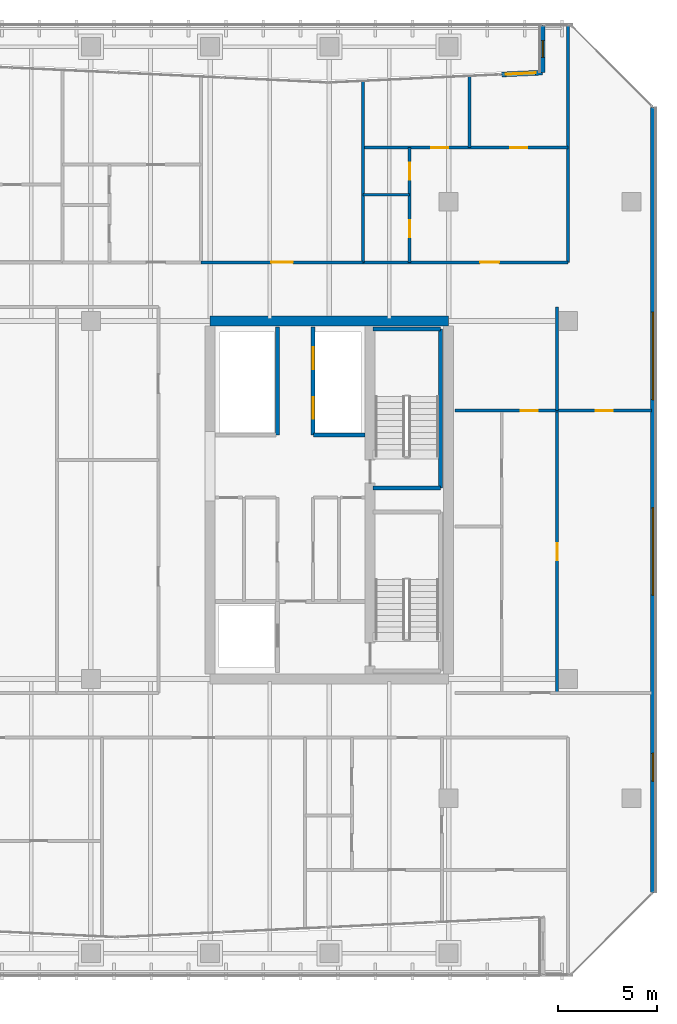
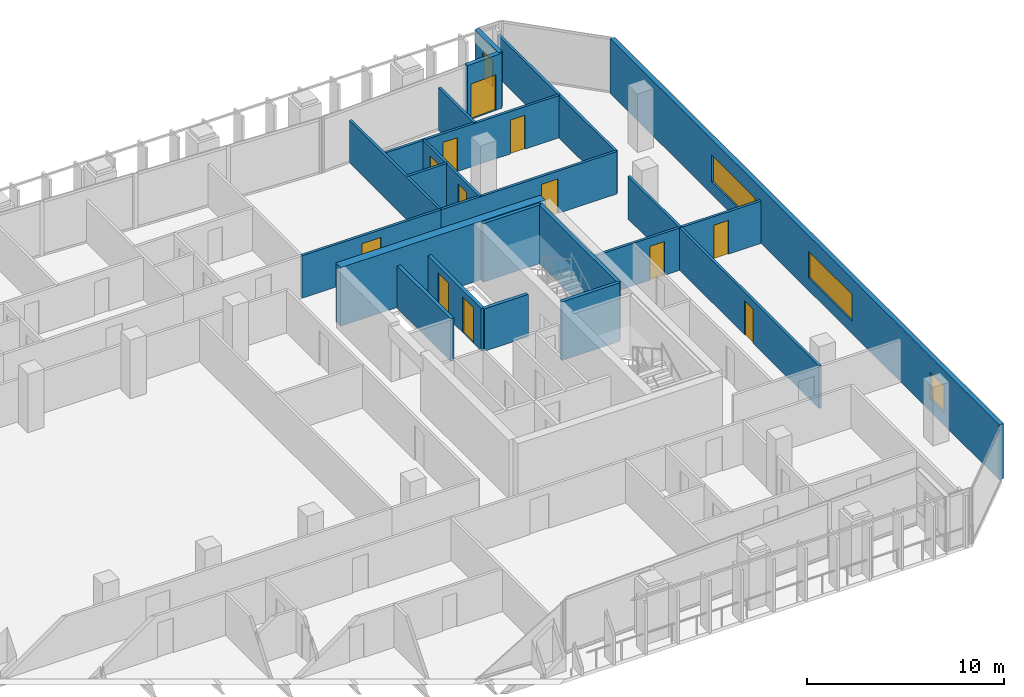
# One storey, part 32 of 39: 21 walls, 12 doors, 4 windows, 16 openings.
"""IFC4 building model written with IfcOpenShell, lengths in metres."""

import ifcopenshell
import ifcopenshell.guid

model = None  # the IFC model being written
_history = None  # IfcOwnerHistory: only IFC2X3 demands one
_inside = {}  # id of a spatial element -> (the spatial element, [elements in it])
_under = {}  # id of a project, library or spatial element -> (it, [spatial elements below it])
_declared = {}  # id of a project -> (the project, [libraries it declares])
_typed = {}  # id of a type object -> (the type object, [elements of that type])
_made_of = {}  # id of a material, layer set ... -> (it, [elements and type objects made of it])


def new_model(schema):
    """Start an empty IFC model of exactly this schema.

    Asked for "IFC4X3", IfcOpenShell would pick the latest addendum, in which some entities
    have other attributes; the version numbers below select the first issue.
    IFC2X3 requires an IfcOwnerHistory on every rooted entity: one is made here for all.
    """
    global model, _history
    if schema == "IFC4X3":
        model = ifcopenshell.file(schema_version=(4, 3, 0, 0))
    else:
        model = ifcopenshell.file(schema=schema)
    _inside.clear()
    _under.clear()
    _declared.clear()
    _typed.clear()
    _made_of.clear()
    _history = None
    if model.schema == "IFC2X3":
        org = make("IfcOrganization", Name="unknown")
        user = make(
            "IfcPersonAndOrganization",
            ThePerson=make("IfcPerson", FamilyName="unknown"),
            TheOrganization=org,
        )
        app = make(
            "IfcApplication",
            ApplicationDeveloper=org,
            Version="unknown",
            ApplicationFullName="unknown",
            ApplicationIdentifier="unknown",
        )
        _history = make(
            "IfcOwnerHistory",
            OwningUser=user,
            OwningApplication=app,
            ChangeAction="ADDED",
            CreationDate=0,
        )
    return model


def make(cls, **values):
    """One entity of the class cls with the attributes given. An attribute that is None is left unset."""
    return model.create_entity(
        cls, **{name: value for name, value in values.items() if value is not None}
    )


def rooted(cls, **values):
    """An entity with a GlobalId (a new one), such as an element, a storey or a relation."""
    return make(cls, GlobalId=ifcopenshell.guid.new(), OwnerHistory=_history, **values)


def si_unit(unit_type, name, prefix=None):
    """IfcSIUnit, for example si_unit("LENGTHUNIT", "METRE", prefix="MILLI")."""
    return make("IfcSIUnit", UnitType=unit_type, Prefix=prefix, Name=name)


def assignment(units):
    """IfcUnitAssignment: the units of a project."""
    return None if units is None else make("IfcUnitAssignment", Units=units)


def point(xyz):
    """IfcCartesianPoint."""
    return None if xyz is None else make("IfcCartesianPoint", Coordinates=xyz)


def direction(xyz):
    """IfcDirection."""
    return None if xyz is None else make("IfcDirection", DirectionRatios=xyz)


def frame(location, z_axis=None, x_axis=None):
    """IfcAxis2Placement3D, a coordinate frame: its origin and axes. An axis left out is left unset."""
    return make(
        "IfcAxis2Placement3D",
        Location=point(location),
        Axis=direction(z_axis),
        RefDirection=direction(x_axis),
    )


def frame_2d(location, x_axis=None):
    """IfcAxis2Placement2D, a coordinate frame in the plane: its origin and x axis."""
    return make(
        "IfcAxis2Placement2D", Location=point(location), RefDirection=direction(x_axis)
    )


def origin():
    """The frame at (0, 0, 0) with its axes left unset."""
    return frame((0.0, 0.0, 0.0))


def place(relative_to, where):
    """IfcLocalPlacement: puts the frame where relative to a parent placement (None: the world)."""
    return make(
        "IfcLocalPlacement", PlacementRelTo=relative_to, RelativePlacement=where
    )


def context(
    kind, dimensions, precision=None, world=None, true_north=None, identifier=None
):
    """IfcGeometricRepresentationContext, for example the 3D "Model" context."""
    return make(
        "IfcGeometricRepresentationContext",
        ContextIdentifier=identifier,
        ContextType=kind,
        CoordinateSpaceDimension=dimensions,
        Precision=precision,
        WorldCoordinateSystem=world,
        TrueNorth=true_north,
    )


def subcontext(parent, identifier, kind, view, scale=None):
    """IfcGeometricRepresentationSubContext, for example "Body" below "Model"."""
    return make(
        "IfcGeometricRepresentationSubContext",
        ContextIdentifier=identifier,
        ContextType=kind,
        ParentContext=parent,
        TargetScale=scale,
        TargetView=view,
    )


def project(units=None, contexts=None):
    """IfcProject with its units and contexts."""
    return rooted(
        "IfcProject",
        Name="project",
        RepresentationContexts=contexts,
        UnitsInContext=assignment(units),
    )


def spatial(cls, under=None, at=None, **own):
    """A site, building, storey or space (cls), placed at a placement, below another one or the project."""
    s = rooted(cls, ObjectPlacement=at, **own)
    if under is not None:
        _under.setdefault(under.id(), (under, []))[1].append(s)
    return s


def profile(cls, at=None, kind="AREA", **sizes):
    """A parametric profile (cls). Its sizes go by their IFC names, for example OverallWidth=200.0."""
    return make(cls, ProfileType=kind, Position=at, **sizes)


def rectangle(**sizes):
    """IfcRectangleProfileDef."""
    return profile("IfcRectangleProfileDef", **sizes)


def extrude(swept, where, along, depth):
    """IfcExtrudedAreaSolid: the profile swept, set in the frame where, extruded along a direction by depth."""
    return make(
        "IfcExtrudedAreaSolid",
        SweptArea=swept,
        Position=where,
        ExtrudedDirection=direction(along),
        Depth=depth,
    )


def shape(context_of_items, identifier, shape_type, items):
    """IfcShapeRepresentation: the items that make up one representation, for example the "Body"."""
    return make(
        "IfcShapeRepresentation",
        ContextOfItems=context_of_items,
        RepresentationIdentifier=identifier,
        RepresentationType=shape_type,
        Items=items,
    )


def material(Name=None, Category=None):
    """IfcMaterial."""
    return make("IfcMaterial", Name=Name, Category=Category)


def layer(
    of_material, thickness, ventilated=None, Name=None, Category=None, Priority=None
):
    """IfcMaterialLayer: one layer of a wall or slab, of a material (None: an air gap)."""
    return make(
        "IfcMaterialLayer",
        Material=of_material,
        LayerThickness=thickness,
        IsVentilated=ventilated,
        Name=Name,
        Category=Category,
        Priority=Priority,
    )


def layer_set(layers, Name=None):
    """IfcMaterialLayerSet."""
    return make("IfcMaterialLayerSet", MaterialLayers=layers, LayerSetName=Name)


def made_of(thing, what):
    """Note that an element or type object is made of a material, layer set ...; save() writes the relation."""
    if what is not None:
        _made_of.setdefault(what.id(), (what, []))[1].append(thing)
    return thing


def type_object(cls, material=None, **own):
    """A type object (cls), such as IfcWallType, which elements share."""
    return made_of(rooted(cls, **own), material)


def element(
    cls,
    number,
    at=None,
    inside=None,
    cuts=None,
    type_object=None,
    material=None,
    context=None,
    identifier="Body",
    shape_type=None,
    held_by="IfcProductDefinitionShape",
    body=None,
    shapes=None,
    **own,
):
    """One element of the class cls, such as IfcWall. Its Tag is "e" and its number.

    at: its placement. inside: the storey or other place that contains it. cuts: it is an
    opening in that element (IfcRelVoidsElement). A single representation is given by context,
    identifier, shape_type and body (its items); several are given by shapes. held_by: the class
    of the entity that holds the representations. save() writes the other relations.
    """
    e = rooted(cls, Tag="e%d" % number, ObjectPlacement=at, **own)
    if body is not None:
        shapes = [shape(context, identifier, shape_type, body)]
    if shapes is not None:
        e.Representation = make(held_by, Representations=shapes)
    if inside is not None:
        _inside.setdefault(inside.id(), (inside, []))[1].append(e)
    if cuts is not None:
        rooted(
            "IfcRelVoidsElement", RelatingBuildingElement=cuts, RelatedOpeningElement=e
        )
    if type_object is not None:
        _typed.setdefault(type_object.id(), (type_object, []))[1].append(e)
    return made_of(e, material)


def fill(opening, filler):
    """IfcRelFillsElement: the door or window that sits in an opening."""
    return rooted(
        "IfcRelFillsElement",
        RelatingOpeningElement=opening,
        RelatedBuildingElement=filler,
    )


def aggregate(whole, parts):
    """IfcRelAggregates: a whole, such as a stair, and the parts it consists of."""
    return rooted("IfcRelAggregates", RelatingObject=whole, RelatedObjects=parts)


def save(model, path):
    """Write the relations noted so far, then the file.

    IfcRelAggregates (storeys below a building ...), IfcRelContainedInSpatialStructure (elements
    in a storey), IfcRelDefinesByType, IfcRelAssociatesMaterial and IfcRelDeclares: one each for
    every whole, place, type object, material and project.
    """
    for whole, parts in _under.values():
        aggregate(whole, parts)
    for where, things in _inside.values():
        rooted(
            "IfcRelContainedInSpatialStructure",
            RelatedElements=things,
            RelatingStructure=where,
        )
    for kind, things in _typed.values():
        rooted("IfcRelDefinesByType", RelatedObjects=things, RelatingType=kind)
    for what, things in _made_of.values():
        rooted("IfcRelAssociatesMaterial", RelatedObjects=things, RelatingMaterial=what)
    for by, libraries in _declared.values():
        rooted("IfcRelDeclares", RelatingContext=by, RelatedDefinitions=libraries)
    model.write(path)


model = new_model("IFC4")

# Units and contexts
model_context = context("Model", 3, precision=1e-05, world=origin(), true_north=direction((0.0, 1.0)))
body_context = subcontext(model_context, "Body", "Model", "MODEL_VIEW")
ifc_project = project(units=[si_unit("LENGTHUNIT", "METRE"), si_unit("AREAUNIT", "SQUARE_METRE"), si_unit("VOLUMEUNIT", "CUBIC_METRE"), si_unit("PLANEANGLEUNIT", "RADIAN"), si_unit("MASSUNIT", "GRAM", prefix="KILO")], contexts=[model_context])

# Site, building, storey
site_placement = place(None, origin())
site = spatial("IfcSite", under=ifc_project, at=site_placement, CompositionType="ELEMENT")
building_placement = place(site_placement, origin())
building = spatial("IfcBuilding", under=site, at=building_placement, Name="Tanjung Sevakor Pilgrim Tower", CompositionType="ELEMENT")
storey_placement = place(building_placement, frame((0.0, 0.0, 108.570068359375)))
storey = spatial("IfcBuildingStorey", under=building, at=storey_placement, Name="L30", CompositionType="ELEMENT", Elevation=108.570068359375)

# Walls
ifc_material_1 = material(Name="Concrete C60/75", Category="concrete")
ifc_layer_1 = layer(ifc_material_1, 0.5)
ifc_layer_set_1 = layer_set([ifc_layer_1], Name="WALL-CW-500")
wall_type_1 = type_object("IfcWallType", Name="WALL-CW-500", PredefinedType="SHEAR", material=ifc_layer_set_1)
wall_1_placement = place(storey_placement, frame((90.0, 42.60009765625, 0.0), z_axis=(0.0, 0.0, 1.0), x_axis=(-1.0, 0.0, 0.0)))
element("IfcWall", 1, at=wall_1_placement, inside=storey, type_object=wall_type_1, Name="L30 E Core North Shear Wall", PredefinedType="SHEAR", context=body_context, shape_type="SweptSolid", body=[
    extrude(rectangle(XDim=12.0, YDim=0.5, at=frame_2d((6.0, 0.0))), origin(), (0.0, 0.0, 1.0), 3.6298828125),
])
ifc_material_2 = material(Name="Concrete C40/50", Category="concrete")
ifc_layer_2 = layer(ifc_material_2, 0.14990234375)
ifc_layer_set_2 = layer_set([ifc_layer_2], Name="WT-COMP-150")
wall_type_2 = type_object("IfcWallType", Name="WT-COMP-150", PredefinedType="SOLIDWALL", material=ifc_layer_set_2)
wall_2_placement = place(storey_placement, frame((96.0, 45.550048828125, 0.0), z_axis=(0.0, 0.0, 1.0), x_axis=(0.0, 1.0, 0.0)))
element("IfcWall", 2, at=wall_2_placement, inside=storey, type_object=wall_type_2, Name="L30 Partition IW-L30-101", PredefinedType="SOLIDWALL", context=body_context, shape_type="SweptSolid", body=[
    extrude(rectangle(XDim=11.925048828125, YDim=0.14990234375, at=frame_2d((5.96240234375, 0.0))), origin(), (0.0, 0.0, 1.0), 2.6298828125),
])
wall_3_placement = place(storey_placement, frame((85.689453125, 45.550048828125, 0.0), z_axis=(0.0, 0.0, 1.0), x_axis=(0.0, 1.0, 0.0)))
element("IfcWall", 3, at=wall_3_placement, inside=storey, type_object=wall_type_2, Name="L30 Partition IW-L30-115", PredefinedType="SOLIDWALL", context=body_context, shape_type="SweptSolid", body=[
    extrude(rectangle(XDim=9.12646484375, YDim=0.14990234375, at=frame_2d((4.563232421875, 0.0))), origin(), (0.0, 0.0, 1.0), 2.6298828125),
])

# Wall, opening, door
wall_4_placement = place(storey_placement, frame((77.536865234375, 45.550048828125, 0.0), z_axis=(0.0, 0.0, 1.0), x_axis=(1.0, 0.0, 0.0)))
wall_4 = element("IfcWall", 4, at=wall_4_placement, inside=storey, type_object=wall_type_2, Name="L30 Partition IW-L30-116", PredefinedType="SOLIDWALL", context=body_context, shape_type="SweptSolid", body=[
    extrude(rectangle(XDim=8.152587890625, YDim=0.14990234375, at=frame_2d((4.076171875, 0.0))), origin(), (0.0, 0.0, 1.0), 2.6298828125),
])
opening_1_placement = place(wall_4_placement, frame((3.5263671875, 0.0, 0.0)))
opening_1 = element("IfcOpeningElement", 5, at=opening_1_placement, cuts=wall_4, Name="Opening ID-FD0", PredefinedType="OPENING", context=body_context, shape_type="SweptSolid", body=[
    extrude(rectangle(XDim=1.10009765625, YDim=2.14990234375, at=frame_2d((0.550048828125, 1.074951171875))), frame((0.0, 0.0849609375, 0.0), z_axis=(0.0, -1.0, 0.0), x_axis=(1.0, 0.0, 0.0)), (0.0, 0.0, 1.0), 0.169921875),
])
ifc_material_3 = material(Name="Fire-Rated Steel S355J2", Category="steel")
door_type_1 = type_object("IfcDoorType", Name="DT-FIRE-1100", OperationType="NOTDEFINED", PredefinedType="DOOR", material=ifc_material_3)
door_1_placement = place(opening_1_placement, origin())
door_1 = element("IfcDoor", 6, at=door_1_placement, inside=storey, type_object=door_type_1, Name="Council Room Door", OperationType="SINGLE_SWING_RIGHT", OverallHeight=2.14990234375, OverallWidth=1.10009765625, PredefinedType="DOOR", context=body_context, shape_type="SweptSolid", body=[
    extrude(rectangle(XDim=1.10009765625, YDim=2.14990234375, at=frame_2d((0.550048828125, 1.074951171875))), frame((0.0, 0.02490234375, 0.0), z_axis=(0.0, -1.0, 0.0), x_axis=(1.0, 0.0, 0.0)), (0.0, 0.0, 1.0), 0.050048828125),
])
fill(opening_1, door_1)

wall_5_placement = place(storey_placement, frame((85.689453125, 45.550048828125, 0.0), z_axis=(0.0, 0.0, 1.0), x_axis=(1.0, 0.0, 0.0)))
wall_5 = element("IfcWall", 7, at=wall_5_placement, inside=storey, type_object=wall_type_2, Name="L30 Partition IW-L30-121", PredefinedType="SOLIDWALL", context=body_context, shape_type="SweptSolid", body=[
    extrude(rectangle(XDim=10.310546875, YDim=0.14990234375, at=frame_2d((5.1552734375, 0.0))), origin(), (0.0, 0.0, 1.0), 2.6298828125),
])
opening_2_placement = place(wall_5_placement, frame((5.895263671875, 0.0, 0.0)))
opening_2 = element("IfcOpeningElement", 8, at=opening_2_placement, cuts=wall_5, Name="Opening ID-FD2", PredefinedType="OPENING", context=body_context, shape_type="SweptSolid", body=[
    extrude(rectangle(XDim=0.949951171875, YDim=2.14990234375, at=frame_2d((0.47509765625, 1.074951171875))), frame((0.0, 0.0849609375, 0.0), z_axis=(0.0, -1.0, 0.0), x_axis=(1.0, 0.0, 0.0)), (0.0, 0.0, 1.0), 0.169921875),
])
ifc_material_4 = material(Name="Fire-Rated Timber", Category="wood")
door_type_2 = type_object("IfcDoorType", Name="DT-FIRE-950", OperationType="NOTDEFINED", PredefinedType="DOOR", material=ifc_material_4)
door_2_placement = place(opening_2_placement, origin())
door_2 = element("IfcDoor", 9, at=door_2_placement, inside=storey, type_object=door_type_2, Name="Suite Entrance", OperationType="SINGLE_SWING_LEFT", OverallHeight=2.14990234375, OverallWidth=0.949951171875, PredefinedType="DOOR", context=body_context, shape_type="SweptSolid", body=[
    extrude(rectangle(XDim=0.949951171875, YDim=2.14990234375, at=frame_2d((0.47509765625, 1.074951171875))), frame((0.0, 0.02490234375, 0.0), z_axis=(0.0, -1.0, 0.0), x_axis=(1.0, 0.0, 0.0)), (0.0, 0.0, 1.0), 0.050048828125),
])
fill(opening_2, door_2)

# Wall, openings, windows
ifc_material_5 = material(Name="Precast concrete C45/55", Category="concrete")
ifc_layer_3 = layer(ifc_material_5, 0.25)
ifc_layer_set_3 = layer_set([ifc_layer_3], Name="WT-EW-STN3")
wall_type_3 = type_object("IfcWallType", Name="WT-EW-STN3", PredefinedType="SOLIDWALL", material=ifc_layer_set_3)
wall_6_placement = place(storey_placement, frame((100.27490234375, 13.851806640625, 0.0), z_axis=(0.0, 0.0, 1.0), x_axis=(0.0, 1.0, 0.0)))
wall_6 = element("IfcWall", 10, at=wall_6_placement, inside=storey, type_object=wall_type_3, Name="L30 MAIN Exterior Wall 17", PredefinedType="SOLIDWALL", context=body_context, shape_type="SweptSolid", body=[
    extrude(rectangle(XDim=39.496337890625, YDim=0.25, at=frame_2d((19.748046875, 0.0))), origin(), (0.0, 0.0, 1.0), 3.409912109375),
])
opening_3_placement = place(wall_6_placement, frame((14.958251953125, 0.0, 0.780029296875)))
opening_3 = element("IfcOpeningElement", 11, at=opening_3_placement, cuts=wall_6, Name="Opening WN-ENDW-1660", PredefinedType="OPENING", context=body_context, shape_type="SweptSolid", body=[
    extrude(rectangle(XDim=4.39990234375, YDim=1.659912109375, at=frame_2d((2.199951171875, 0.830078125))), frame((0.0, 0.135009765625, 0.0), z_axis=(0.0, -1.0, 0.0), x_axis=(1.0, 0.0, 0.0)), (0.0, 0.0, 1.0), 0.27001953125),
])
opening_4_placement = place(wall_6_placement, frame((24.798095703125, 0.0, 0.780029296875)))
opening_4 = element("IfcOpeningElement", 12, at=opening_4_placement, cuts=wall_6, Name="Opening WN-ENDW-1660", PredefinedType="OPENING", context=body_context, shape_type="SweptSolid", body=[
    extrude(rectangle(XDim=4.39990234375, YDim=1.659912109375, at=frame_2d((2.199951171875, 0.830078125))), frame((0.0, 0.135009765625, 0.0), z_axis=(0.0, -1.0, 0.0), x_axis=(1.0, 0.0, 0.0)), (0.0, 0.0, 1.0), 0.27001953125),
])
opening_5_placement = place(wall_6_placement, frame((5.60400390625, 0.0, 0.780029296875)))
opening_5 = element("IfcOpeningElement", 13, at=opening_5_placement, cuts=wall_6, Name="Opening WN-END", PredefinedType="OPENING", context=body_context, shape_type="SweptSolid", body=[
    extrude(rectangle(XDim=1.39990234375, YDim=1.64990234375, at=frame_2d((0.699951171875, 0.824951171875))), frame((0.0, 0.135009765625, 0.0), z_axis=(0.0, -1.0, 0.0), x_axis=(1.0, 0.0, 0.0)), (0.0, 0.0, 1.0), 0.27001953125),
])
ifc_material_6 = material(Name="Thermally Broken Aluminium and Low-E Glass", Category="aluminium")
window_type_1 = type_object("IfcWindowType", Name="WTYP-WN-END", PartitioningType="SINGLE_PANEL", PredefinedType="WINDOW", material=ifc_material_6)
window_1_placement = place(opening_5_placement, origin())
window_1 = element("IfcWindow", 14, at=window_1_placement, inside=storey, type_object=window_type_1, Name="L30 Facade Window 03", OverallHeight=1.64990234375, OverallWidth=1.39990234375, PartitioningType="SINGLE_PANEL", PredefinedType="WINDOW", context=body_context, shape_type="SweptSolid", body=[
    extrude(rectangle(XDim=1.39990234375, YDim=1.64990234375, at=frame_2d((0.699951171875, 0.824951171875))), frame((0.0, 0.030029296875, 0.0), z_axis=(0.0, -1.0, 0.0), x_axis=(1.0, 0.0, 0.0)), (0.0, 0.0, 1.0), 0.06005859375),
])
fill(opening_5, window_1)
ifc_material_7 = material(Name="Thermally Broken Aluminium and Low-E Glass", Category="aluminium")
window_type_2 = type_object("IfcWindowType", Name="WTYP-WN-ENDW-1660", PartitioningType="DOUBLE_PANEL_VERTICAL", PredefinedType="WINDOW", material=ifc_material_7)
window_2_placement = place(opening_3_placement, origin())
window_2 = element("IfcWindow", 15, at=window_2_placement, inside=storey, type_object=window_type_2, Name="L30 Facade Window 01", OverallHeight=1.659912109375, OverallWidth=4.39990234375, PartitioningType="SINGLE_PANEL", PredefinedType="WINDOW", context=body_context, shape_type="SweptSolid", body=[
    extrude(rectangle(XDim=4.39990234375, YDim=1.659912109375, at=frame_2d((2.199951171875, 0.830078125))), frame((0.0, 0.030029296875, 0.0), z_axis=(0.0, -1.0, 0.0), x_axis=(1.0, 0.0, 0.0)), (0.0, 0.0, 1.0), 0.06005859375),
])
fill(opening_3, window_2)
window_3_placement = place(opening_4_placement, origin())
window_3 = element("IfcWindow", 16, at=window_3_placement, inside=storey, type_object=window_type_2, Name="L30 Facade Window 02", OverallHeight=1.659912109375, OverallWidth=4.39990234375, PartitioningType="SINGLE_PANEL", PredefinedType="WINDOW", context=body_context, shape_type="SweptSolid", body=[
    extrude(rectangle(XDim=4.39990234375, YDim=1.659912109375, at=frame_2d((2.199951171875, 0.830078125))), frame((0.0, 0.030029296875, 0.0), z_axis=(0.0, -1.0, 0.0), x_axis=(1.0, 0.0, 0.0)), (0.0, 0.0, 1.0), 0.06005859375),
])
fill(opening_4, window_3)

# Wall, opening, window
wall_7_placement = place(storey_placement, frame((94.72509765625, 57.47509765625, 0.0), z_axis=(0.0, 0.0, 1.0), x_axis=(0.0, -1.0, 0.0)))
wall_7 = element("IfcWall", 17, at=wall_7_placement, inside=storey, type_object=wall_type_3, Name="L30 MAIN Exterior Wall 20", PredefinedType="SOLIDWALL", context=body_context, shape_type="SweptSolid", body=[
    extrude(rectangle(XDim=2.37451171875, YDim=0.25, at=frame_2d((1.187255859375, 0.0))), origin(), (0.0, 0.0, 1.0), 3.409912109375),
])
opening_6_placement = place(wall_7_placement, frame((0.76220703125, 0.0, 0.780029296875)))
opening_6 = element("IfcOpeningElement", 18, at=opening_6_placement, cuts=wall_7, Name="Opening WN-SLM", PredefinedType="OPENING", context=body_context, shape_type="SweptSolid", body=[
    extrude(rectangle(XDim=0.85009765625, YDim=1.64990234375, at=frame_2d((0.425048828125, 0.824951171875))), frame((0.0, 0.135009765625, 0.0), z_axis=(0.0, -1.0, 0.0), x_axis=(1.0, 0.0, 0.0)), (0.0, 0.0, 1.0), 0.27001953125),
])
ifc_material_8 = material(Name="Thermally Broken Aluminium and Low-E Glass", Category="aluminium")
window_type_3 = type_object("IfcWindowType", Name="WTYP-WN-SLM", PartitioningType="SINGLE_PANEL", PredefinedType="WINDOW", material=ifc_material_8)
window_4_placement = place(opening_6_placement, origin())
window_4 = element("IfcWindow", 19, at=window_4_placement, inside=storey, type_object=window_type_3, Name="L30 Facade Window 01", OverallHeight=1.64990234375, OverallWidth=0.85009765625, PartitioningType="SINGLE_PANEL", PredefinedType="WINDOW", context=body_context, shape_type="SweptSolid", body=[
    extrude(rectangle(XDim=0.85009765625, YDim=1.64990234375, at=frame_2d((0.425048828125, 0.824951171875))), frame((0.0, 0.030029296875, 0.0), z_axis=(0.0, -1.0, 0.0), x_axis=(1.0, 0.0, 0.0)), (0.0, 0.0, 1.0), 0.06005859375),
])
fill(opening_6, window_4)

# Wall, opening, door
wall_8_placement = place(storey_placement, frame((94.72509765625, 55.1005859375, 0.0), z_axis=(0.0, 0.0, 1.0), x_axis=(-0.998903780539, -0.046810652902, 0.0)))
wall_8 = element("IfcWall", 20, at=wall_8_placement, inside=storey, type_object=wall_type_3, Name="L30 S-Curve Terrace Threshold Wall 20", PredefinedType="SOLIDWALL", context=body_context, shape_type="SweptSolid", body=[
    extrude(rectangle(XDim=2.06005859375, YDim=0.25, at=frame_2d((1.030029296875, 0.0))), origin(), (0.0, 0.0, 1.0), 3.409912109375),
])
opening_7_placement = place(wall_8_placement, frame((0.35009765625, 0.0, 0.0)))
opening_7 = element("IfcOpeningElement", 21, at=opening_7_placement, cuts=wall_8, Name="Opening ED-TER-1500", PredefinedType="OPENING", context=body_context, shape_type="SweptSolid", body=[
    extrude(rectangle(XDim=1.5, YDim=2.199951171875, at=frame_2d((0.75, 1.10009765625))), frame((0.0, 0.135009765625, 0.0), z_axis=(0.0, -1.0, 0.0), x_axis=(1.0, 0.0, 0.0)), (0.0, 0.0, 1.0), 0.27001953125),
])
ifc_material_9 = material(Name="Anodised Aluminium and Laminated Glass", Category="aluminium")
door_type_3 = type_object("IfcDoorType", Name="DTYP-ED-TER-1500", OperationType="DOUBLE_DOOR_SINGLE_SWING", PredefinedType="DOOR", material=ifc_material_9)
door_3_placement = place(opening_7_placement, frame((1.5, 0.0, 0.0), z_axis=(0.0, 0.0, 1.0), x_axis=(-1.0, 0.0, 0.0)))
door_3 = element("IfcDoor", 22, at=door_3_placement, inside=storey, type_object=door_type_3, Name="L30 S-Curve Terrace Access Door 20", OperationType="SINGLE_SWING_RIGHT", OverallHeight=2.199951171875, OverallWidth=1.5, PredefinedType="DOOR", context=body_context, shape_type="SweptSolid", body=[
    extrude(rectangle(XDim=1.5, YDim=2.199951171875, at=frame_2d((0.75, 1.10009765625))), frame((0.0, 0.02490234375, 0.0), z_axis=(0.0, -1.0, 0.0), x_axis=(1.0, 0.0, 0.0)), (0.0, 0.0, 1.0), 0.050048828125),
])
fill(opening_7, door_3)

# Walls
ifc_material_10 = material(Name="Concrete C40/50", Category="concrete")
ifc_layer_4 = layer(ifc_material_10, 0.199951171875)
ifc_layer_set_4 = layer_set([ifc_layer_4], Name="WT-FIRE-200")
wall_type_4 = type_object("IfcWallType", Name="WT-FIRE-200", PredefinedType="SOLIDWALL", material=ifc_layer_set_4)
wall_9_placement = place(storey_placement, frame((86.199951171875, 34.199951171875, 0.0), z_axis=(0.0, 0.0, 1.0), x_axis=(1.0, 0.0, 0.0)))
element("IfcWall", 23, at=wall_9_placement, inside=storey, type_object=wall_type_4, Name="L30 TS-E2 Shaft Wall 1", PredefinedType="SOLIDWALL", context=body_context, shape_type="SweptSolid", body=[
    extrude(rectangle(XDim=3.400146484375, YDim=0.199951171875, at=frame_2d((1.7001953125, 0.0))), origin(), (0.0, 0.0, 1.0), 3.6298828125),
])
wall_10_placement = place(storey_placement, frame((89.60009765625, 34.199951171875, 0.0), z_axis=(0.0, 0.0, 1.0), x_axis=(0.0, 1.0, 0.0)))
element("IfcWall", 24, at=wall_10_placement, inside=storey, type_object=wall_type_4, Name="L30 TS-E2 Shaft Wall 2", PredefinedType="SOLIDWALL", context=body_context, shape_type="SweptSolid", body=[
    extrude(rectangle(XDim=8.0, YDim=0.199951171875, at=frame_2d((4.0, 0.0))), origin(), (0.0, 0.0, 1.0), 3.6298828125),
])
wall_11_placement = place(storey_placement, frame((89.60009765625, 42.199951171875, 0.0), z_axis=(0.0, 0.0, 1.0), x_axis=(-1.0, 0.0, 0.0)))
element("IfcWall", 25, at=wall_11_placement, inside=storey, type_object=wall_type_4, Name="L30 TS-E2 Shaft Wall 3", PredefinedType="SOLIDWALL", context=body_context, shape_type="SweptSolid", body=[
    extrude(rectangle(XDim=3.400146484375, YDim=0.199951171875, at=frame_2d((1.7001953125, 0.0))), origin(), (0.0, 0.0, 1.0), 3.6298828125),
])
ifc_material_11 = material(Name="Concrete C40/50", Category="concrete")
ifc_layer_5 = layer(ifc_material_11, 0.199951171875)
ifc_layer_set_5 = layer_set([ifc_layer_5], Name="WT-FPRT-200")
wall_type_5 = type_object("IfcWallType", Name="WT-FPRT-200", PredefinedType="SOLIDWALL", material=ifc_layer_set_5)
wall_12_placement = place(storey_placement, frame((83.199951171875, 36.8798828125, 0.0), z_axis=(0.0, 0.0, 1.0), x_axis=(1.0, 0.0, 0.0)))
element("IfcWall", 26, at=wall_12_placement, inside=storey, type_object=wall_type_5, Name="L30 Partition IW-L30-025", PredefinedType="SOLIDWALL", context=body_context, shape_type="SweptSolid", body=[
    extrude(rectangle(XDim=2.580078125, YDim=0.199951171875, at=frame_2d((1.2900390625, 0.0))), origin(), (0.0, 0.0, 1.0), 2.6298828125),
])

# Wall, openings, doors
wall_13_placement = place(storey_placement, frame((83.179931640625, 36.8798828125, 0.0), z_axis=(0.0, 0.0, 1.0), x_axis=(0.0, 1.0, 0.0)))
wall_13 = element("IfcWall", 27, at=wall_13_placement, inside=storey, type_object=wall_type_5, Name="L30 Partition IW-L30-026", PredefinedType="SOLIDWALL", context=body_context, shape_type="SweptSolid", body=[
    extrude(rectangle(XDim=5.420166015625, YDim=0.199951171875, at=frame_2d((2.7099609375, 0.0))), origin(), (0.0, 0.0, 1.0), 2.6298828125),
])
opening_8_placement = place(wall_13_placement, frame((0.800048828125, 0.0, 0.0)))
opening_8 = element("IfcOpeningElement", 28, at=opening_8_placement, cuts=wall_13, Name="Opening LD-1100", PredefinedType="OPENING", context=body_context, shape_type="SweptSolid", body=[
    extrude(rectangle(XDim=1.10009765625, YDim=2.199951171875, at=frame_2d((0.550048828125, 1.10009765625))), frame((0.0, 0.10986328125, 0.0), z_axis=(0.0, -1.0, 0.0), x_axis=(1.0, 0.0, 0.0)), (0.0, 0.0, 1.0), 0.219970703125),
])
opening_9_placement = place(wall_13_placement, frame((3.300048828125, 0.0, 0.0)))
opening_9 = element("IfcOpeningElement", 29, at=opening_9_placement, cuts=wall_13, Name="Opening LD-1100", PredefinedType="OPENING", context=body_context, shape_type="SweptSolid", body=[
    extrude(rectangle(XDim=1.10009765625, YDim=2.199951171875, at=frame_2d((0.550048828125, 1.10009765625))), frame((0.0, 0.10986328125, 0.0), z_axis=(0.0, -1.0, 0.0), x_axis=(1.0, 0.0, 0.0)), (0.0, 0.0, 1.0), 0.219970703125),
])
ifc_material_12 = material(Name="Brushed Stainless Steel S355J2", Category="steel")
door_type_4 = type_object("IfcDoorType", Name="DT-LIFT-1100", OperationType="SLIDING_TO_LEFT", PredefinedType="DOOR", material=ifc_material_12)
door_4_placement = place(opening_8_placement, origin())
door_4 = element("IfcDoor", 30, at=door_4_placement, inside=storey, type_object=door_type_4, Name="LD-PLM1-E", OperationType="SLIDING_TO_LEFT", OverallHeight=2.199951171875, OverallWidth=1.10009765625, PredefinedType="DOOR", context=body_context, shape_type="SweptSolid", body=[
    extrude(rectangle(XDim=1.10009765625, YDim=2.199951171875, at=frame_2d((0.550048828125, 1.10009765625))), frame((0.0, 0.02490234375, 0.0), z_axis=(0.0, -1.0, 0.0), x_axis=(1.0, 0.0, 0.0)), (0.0, 0.0, 1.0), 0.050048828125),
])
fill(opening_8, door_4)
door_5_placement = place(opening_9_placement, origin())
door_5 = element("IfcDoor", 31, at=door_5_placement, inside=storey, type_object=door_type_4, Name="LD-PLM2-E", OperationType="SLIDING_TO_RIGHT", OverallHeight=2.199951171875, OverallWidth=1.10009765625, PredefinedType="DOOR", context=body_context, shape_type="SweptSolid", body=[
    extrude(rectangle(XDim=1.10009765625, YDim=2.199951171875, at=frame_2d((0.550048828125, 1.10009765625))), frame((0.0, 0.02490234375, 0.0), z_axis=(0.0, -1.0, 0.0), x_axis=(1.0, 0.0, 0.0)), (0.0, 0.0, 1.0), 0.050048828125),
])
fill(opening_9, door_5)

# Wall
wall_14_placement = place(storey_placement, frame((81.3798828125, 36.8798828125, 0.0), z_axis=(0.0, 0.0, 1.0), x_axis=(0.0, 1.0, 0.0)))
element("IfcWall", 32, at=wall_14_placement, inside=storey, type_object=wall_type_5, Name="L30 Partition IW-L30-028", PredefinedType="SOLIDWALL", context=body_context, shape_type="SweptSolid", body=[
    extrude(rectangle(XDim=5.420166015625, YDim=0.199951171875, at=frame_2d((2.7099609375, 0.0))), origin(), (0.0, 0.0, 1.0), 2.6298828125),
])

# Wall, opening, door
ifc_material_13 = material(Name="Gypsum Board Partition", Category="gypsum board")
ifc_layer_6 = layer(ifc_material_13, 0.14990234375)
ifc_layer_set_6 = layer_set([ifc_layer_6], Name="WT-PART-150")
wall_type_6 = type_object("IfcWallType", Name="WT-PART-150", PredefinedType="PARTITIONING", material=ifc_layer_set_6)
wall_15_placement = place(storey_placement, frame((95.452392578125, 23.89990234375, 0.0), z_axis=(0.0, 0.0, 1.0), x_axis=(0.0, 1.0, 0.0)))
wall_15 = element("IfcWall", 33, at=wall_15_placement, inside=storey, type_object=wall_type_6, Name="L30 Partition IW-L30-044", PredefinedType="PARTITIONING", context=body_context, shape_type="SweptSolid", body=[
    extrude(rectangle(XDim=14.2001953125, YDim=0.14990234375, at=frame_2d((7.10009765625, 0.0))), origin(), (0.0, 0.0, 1.0), 2.6298828125),
])
opening_10_placement = place(wall_15_placement, frame((6.675048828125, 0.0, 0.0)))
opening_10 = element("IfcOpeningElement", 34, at=opening_10_placement, cuts=wall_15, Name="Opening ID-WC1", PredefinedType="OPENING", context=body_context, shape_type="SweptSolid", body=[
    extrude(rectangle(XDim=0.85009765625, YDim=2.10009765625, at=frame_2d((0.425048828125, 1.050048828125))), frame((0.0, 0.0849609375, 0.0), z_axis=(0.0, -1.0, 0.0), x_axis=(1.0, 0.0, 0.0)), (0.0, 0.0, 1.0), 0.169921875),
])
ifc_material_14 = material(Name="Moisture-Resistant Timber", Category="wood")
door_type_5 = type_object("IfcDoorType", Name="DT-INT-850", OperationType="NOTDEFINED", PredefinedType="DOOR", material=ifc_material_14)
door_6_placement = place(opening_10_placement, origin())
door_6 = element("IfcDoor", 35, at=door_6_placement, inside=storey, type_object=door_type_5, Name="Suite Study Room Door", OperationType="SINGLE_SWING_RIGHT", OverallHeight=2.10009765625, OverallWidth=0.85009765625, PredefinedType="DOOR", context=body_context, shape_type="SweptSolid", body=[
    extrude(rectangle(XDim=0.85009765625, YDim=2.10009765625, at=frame_2d((0.425048828125, 1.050048828125))), frame((0.0, 0.02490234375, 0.0), z_axis=(0.0, -1.0, 0.0), x_axis=(1.0, 0.0, 0.0)), (0.0, 0.0, 1.0), 0.050048828125),
])
fill(opening_10, door_6)

# Wall
wall_16_placement = place(storey_placement, frame((95.452392578125, 38.10009765625, 0.0), z_axis=(0.0, 0.0, 1.0), x_axis=(0.0, 1.0, 0.0)))
element("IfcWall", 36, at=wall_16_placement, inside=storey, type_object=wall_type_6, Name="L30 Partition IW-L30-047", PredefinedType="PARTITIONING", context=body_context, shape_type="SweptSolid", body=[
    extrude(rectangle(XDim=5.199951171875, YDim=0.14990234375, at=frame_2d((2.60009765625, 0.0))), origin(), (0.0, 0.0, 1.0), 2.6298828125),
])

# Wall, openings, doors
wall_17_placement = place(storey_placement, frame((90.320068359375, 38.10009765625, 0.0), z_axis=(0.0, 0.0, 1.0), x_axis=(1.0, 0.0, 0.0)))
wall_17 = element("IfcWall", 37, at=wall_17_placement, inside=storey, type_object=wall_type_6, Name="L30 Partition IW-L30-048", PredefinedType="PARTITIONING", context=body_context, shape_type="SweptSolid", body=[
    extrude(rectangle(XDim=9.869873046875, YDim=0.14990234375, at=frame_2d((4.93505859375, 0.0))), origin(), (0.0, 0.0, 1.0), 2.6298828125),
])
opening_11_placement = place(wall_17_placement, frame((3.316162109375, 0.0, 0.0)))
opening_11 = element("IfcOpeningElement", 38, at=opening_11_placement, cuts=wall_17, Name="Opening ID-WC1", PredefinedType="OPENING", context=body_context, shape_type="SweptSolid", body=[
    extrude(rectangle(XDim=0.85009765625, YDim=2.10009765625, at=frame_2d((0.425048828125, 1.050048828125))), frame((0.0, 0.0849609375, 0.0), z_axis=(0.0, -1.0, 0.0), x_axis=(1.0, 0.0, 0.0)), (0.0, 0.0, 1.0), 0.169921875),
])
opening_12_placement = place(wall_17_placement, frame((7.076171875, 0.0, 0.0)))
opening_12 = element("IfcOpeningElement", 39, at=opening_12_placement, cuts=wall_17, Name="Opening ID-WC1", PredefinedType="OPENING", context=body_context, shape_type="SweptSolid", body=[
    extrude(rectangle(XDim=0.85009765625, YDim=2.10009765625, at=frame_2d((0.425048828125, 1.050048828125))), frame((0.0, 0.0849609375, 0.0), z_axis=(0.0, -1.0, 0.0), x_axis=(1.0, 0.0, 0.0)), (0.0, 0.0, 1.0), 0.169921875),
])
door_7_placement = place(opening_11_placement, origin())
door_7 = element("IfcDoor", 40, at=door_7_placement, inside=storey, type_object=door_type_5, Name="Suite Bedroom 1 Door", OperationType="SINGLE_SWING_LEFT", OverallHeight=2.10009765625, OverallWidth=0.85009765625, PredefinedType="DOOR", context=body_context, shape_type="SweptSolid", body=[
    extrude(rectangle(XDim=0.85009765625, YDim=2.10009765625, at=frame_2d((0.425048828125, 1.050048828125))), frame((0.0, 0.02490234375, 0.0), z_axis=(0.0, -1.0, 0.0), x_axis=(1.0, 0.0, 0.0)), (0.0, 0.0, 1.0), 0.050048828125),
])
fill(opening_11, door_7)
door_8_placement = place(opening_12_placement, origin())
door_8 = element("IfcDoor", 41, at=door_8_placement, inside=storey, type_object=door_type_5, Name="Suite Bedroom 2 Door", OperationType="SINGLE_SWING_RIGHT", OverallHeight=2.10009765625, OverallWidth=0.85009765625, PredefinedType="DOOR", context=body_context, shape_type="SweptSolid", body=[
    extrude(rectangle(XDim=0.85009765625, YDim=2.10009765625, at=frame_2d((0.425048828125, 1.050048828125))), frame((0.0, 0.02490234375, 0.0), z_axis=(0.0, -1.0, 0.0), x_axis=(1.0, 0.0, 0.0)), (0.0, 0.0, 1.0), 0.050048828125),
])
fill(opening_12, door_8)

# Wall
wall_18_placement = place(storey_placement, frame((85.689453125, 48.954345703125, 0.0), z_axis=(0.0, 0.0, 1.0), x_axis=(1.0, 0.0, 0.0)))
element("IfcWall", 42, at=wall_18_placement, inside=storey, type_object=wall_type_6, Name="L30 Partition IW-L30-117", PredefinedType="PARTITIONING", context=body_context, shape_type="SweptSolid", body=[
    extrude(rectangle(XDim=2.35009765625, YDim=0.14990234375, at=frame_2d((1.175048828125, 0.0))), origin(), (0.0, 0.0, 1.0), 2.6298828125),
])

# Wall, openings, doors
wall_19_placement = place(storey_placement, frame((88.03955078125, 45.550048828125, 0.0), z_axis=(0.0, 0.0, 1.0), x_axis=(0.0, 1.0, 0.0)))
wall_19 = element("IfcWall", 43, at=wall_19_placement, inside=storey, type_object=wall_type_6, Name="L30 Partition IW-L30-118", PredefinedType="PARTITIONING", context=body_context, shape_type="SweptSolid", body=[
    extrude(rectangle(XDim=5.77001953125, YDim=0.14990234375, at=frame_2d((2.885009765625, 0.0))), origin(), (0.0, 0.0, 1.0), 2.6298828125),
])
opening_13_placement = place(wall_19_placement, frame((1.277099609375, 0.0, 0.0)))
opening_13 = element("IfcOpeningElement", 44, at=opening_13_placement, cuts=wall_19, Name="Opening ID-WC1", PredefinedType="OPENING", context=body_context, shape_type="SweptSolid", body=[
    extrude(rectangle(XDim=0.85009765625, YDim=2.10009765625, at=frame_2d((0.425048828125, 1.050048828125))), frame((0.0, 0.0849609375, 0.0), z_axis=(0.0, -1.0, 0.0), x_axis=(1.0, 0.0, 0.0)), (0.0, 0.0, 1.0), 0.169921875),
])
opening_14_placement = place(wall_19_placement, frame((4.162109375, 0.0, 0.0)))
opening_14 = element("IfcOpeningElement", 45, at=opening_14_placement, cuts=wall_19, Name="Opening ID-WC1", PredefinedType="OPENING", context=body_context, shape_type="SweptSolid", body=[
    extrude(rectangle(XDim=0.85009765625, YDim=2.10009765625, at=frame_2d((0.425048828125, 1.050048828125))), frame((0.0, 0.0849609375, 0.0), z_axis=(0.0, -1.0, 0.0), x_axis=(1.0, 0.0, 0.0)), (0.0, 0.0, 1.0), 0.169921875),
])
door_9_placement = place(opening_13_placement, origin())
door_9 = element("IfcDoor", 46, at=door_9_placement, inside=storey, type_object=door_type_5, Name="Suite Kitchenette Door", OperationType="SINGLE_SWING_LEFT", OverallHeight=2.10009765625, OverallWidth=0.85009765625, PredefinedType="DOOR", context=body_context, shape_type="SweptSolid", body=[
    extrude(rectangle(XDim=0.85009765625, YDim=2.10009765625, at=frame_2d((0.425048828125, 1.050048828125))), frame((0.0, 0.02490234375, 0.0), z_axis=(0.0, -1.0, 0.0), x_axis=(1.0, 0.0, 0.0)), (0.0, 0.0, 1.0), 0.050048828125),
])
fill(opening_13, door_9)
door_10_placement = place(opening_14_placement, origin())
door_10 = element("IfcDoor", 47, at=door_10_placement, inside=storey, type_object=door_type_5, Name="Suite Bathroom Door", OperationType="SINGLE_SWING_RIGHT", OverallHeight=2.10009765625, OverallWidth=0.85009765625, PredefinedType="DOOR", context=body_context, shape_type="SweptSolid", body=[
    extrude(rectangle(XDim=0.85009765625, YDim=2.10009765625, at=frame_2d((0.425048828125, 1.050048828125))), frame((0.0, 0.02490234375, 0.0), z_axis=(0.0, -1.0, 0.0), x_axis=(1.0, 0.0, 0.0)), (0.0, 0.0, 1.0), 0.050048828125),
])
fill(opening_14, door_10)

# Wall
wall_20_placement = place(storey_placement, frame((91.051025390625, 51.320068359375, 0.0), z_axis=(0.0, 0.0, 1.0), x_axis=(0.0, 1.0, 0.0)))
element("IfcWall", 48, at=wall_20_placement, inside=storey, type_object=wall_type_6, Name="L30 Partition IW-L30-119", PredefinedType="PARTITIONING", context=body_context, shape_type="SweptSolid", body=[
    extrude(rectangle(XDim=3.608154296875, YDim=0.14990234375, at=frame_2d((1.80419921875, 0.0))), origin(), (0.0, 0.0, 1.0), 2.6298828125),
])

# Wall, openings, doors
wall_21_placement = place(storey_placement, frame((85.689453125, 51.320068359375, 0.0), z_axis=(0.0, 0.0, 1.0), x_axis=(1.0, 0.0, 0.0)))
wall_21 = element("IfcWall", 49, at=wall_21_placement, inside=storey, type_object=wall_type_6, Name="L30 Partition IW-L30-120", PredefinedType="PARTITIONING", context=body_context, shape_type="SweptSolid", body=[
    extrude(rectangle(XDim=10.310546875, YDim=0.14990234375, at=frame_2d((5.1552734375, 0.0))), origin(), (0.0, 0.0, 1.0), 2.6298828125),
])
opening_15_placement = place(wall_21_placement, frame((3.430908203125, 0.0, 0.0)))
opening_15 = element("IfcOpeningElement", 50, at=opening_15_placement, cuts=wall_21, Name="Opening ID-WC1", PredefinedType="OPENING", context=body_context, shape_type="SweptSolid", body=[
    extrude(rectangle(XDim=0.85009765625, YDim=2.10009765625, at=frame_2d((0.425048828125, 1.050048828125))), frame((0.0, 0.0849609375, 0.0), z_axis=(0.0, -1.0, 0.0), x_axis=(1.0, 0.0, 0.0)), (0.0, 0.0, 1.0), 0.169921875),
])
opening_16_placement = place(wall_21_placement, frame((7.410888671875, 0.0, 0.0)))
opening_16 = element("IfcOpeningElement", 51, at=opening_16_placement, cuts=wall_21, Name="Opening ID-WC1", PredefinedType="OPENING", context=body_context, shape_type="SweptSolid", body=[
    extrude(rectangle(XDim=0.85009765625, YDim=2.10009765625, at=frame_2d((0.425048828125, 1.050048828125))), frame((0.0, 0.0849609375, 0.0), z_axis=(0.0, -1.0, 0.0), x_axis=(1.0, 0.0, 0.0)), (0.0, 0.0, 1.0), 0.169921875),
])
door_11_placement = place(opening_15_placement, origin())
door_11 = element("IfcDoor", 52, at=door_11_placement, inside=storey, type_object=door_type_5, Name="Suite Bedroom 1 Door", OperationType="SINGLE_SWING_LEFT", OverallHeight=2.10009765625, OverallWidth=0.85009765625, PredefinedType="DOOR", context=body_context, shape_type="SweptSolid", body=[
    extrude(rectangle(XDim=0.85009765625, YDim=2.10009765625, at=frame_2d((0.425048828125, 1.050048828125))), frame((0.0, 0.02490234375, 0.0), z_axis=(0.0, -1.0, 0.0), x_axis=(1.0, 0.0, 0.0)), (0.0, 0.0, 1.0), 0.050048828125),
])
fill(opening_15, door_11)
door_12_placement = place(opening_16_placement, origin())
door_12 = element("IfcDoor", 53, at=door_12_placement, inside=storey, type_object=door_type_5, Name="Suite Bedroom 2 Door", OperationType="SINGLE_SWING_RIGHT", OverallHeight=2.10009765625, OverallWidth=0.85009765625, PredefinedType="DOOR", context=body_context, shape_type="SweptSolid", body=[
    extrude(rectangle(XDim=0.85009765625, YDim=2.10009765625, at=frame_2d((0.425048828125, 1.050048828125))), frame((0.0, 0.02490234375, 0.0), z_axis=(0.0, -1.0, 0.0), x_axis=(1.0, 0.0, 0.0)), (0.0, 0.0, 1.0), 0.050048828125),
])
fill(opening_16, door_12)

save(model, "model.ifc")
